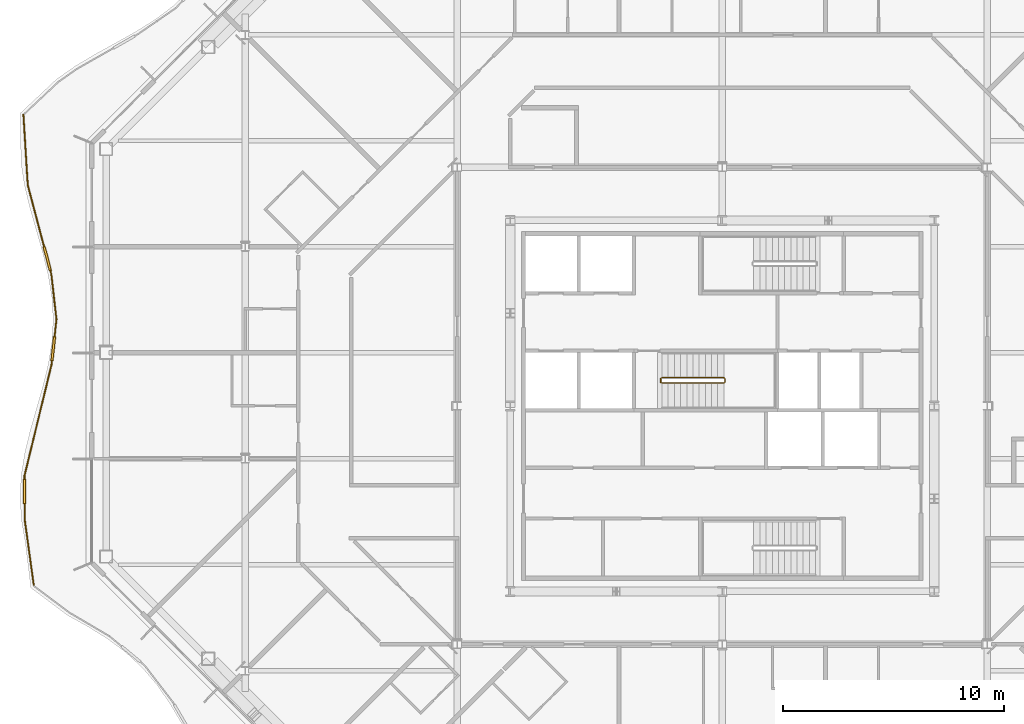
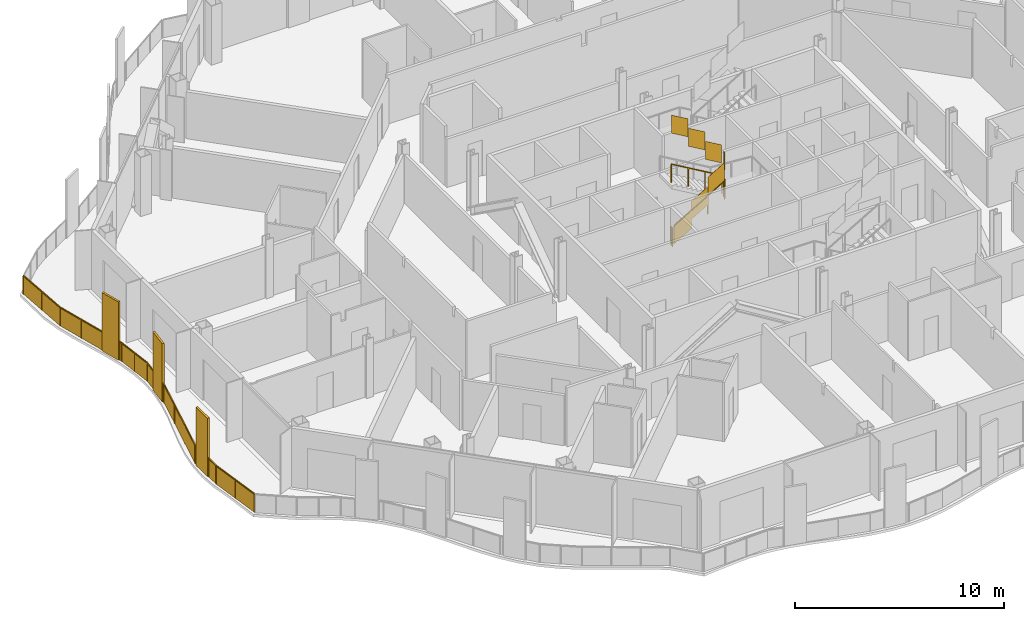
# One storey, part 16 of 21: 3 railings.
"""IFC4 building model written with IfcOpenShell, lengths in metres."""

from ifc_helpers import new_model, si_unit, direction, frame, origin, origin_2d, place, context, subcontext, project, spatial, polyline, rectangle, outline, extrude, material, type_object, element, save


model = new_model("IFC4")

# Units and contexts
model_context = context("Model", 3, precision=1e-05, world=origin(), true_north=direction((0.0, 1.0)))
body_context = subcontext(model_context, "Body", "Model", "MODEL_VIEW")
ifc_project = project(units=[si_unit("LENGTHUNIT", "METRE"), si_unit("AREAUNIT", "SQUARE_METRE"), si_unit("VOLUMEUNIT", "CUBIC_METRE"), si_unit("PLANEANGLEUNIT", "RADIAN"), si_unit("MASSUNIT", "GRAM", prefix="KILO")], contexts=[model_context])

# Site, building, storey
site_placement = place(None, origin())
site = spatial("IfcSite", under=ifc_project, at=site_placement, CompositionType="ELEMENT")
building_placement = place(site_placement, origin())
building = spatial("IfcBuilding", under=site, at=building_placement, Name="Cairn Pilgrim Tower", CompositionType="ELEMENT")
storey_placement = place(building_placement, frame((0.0, 0.0, 150.60009765625)))
storey = spatial("IfcBuildingStorey", under=building, at=storey_placement, Name="L37", CompositionType="ELEMENT", Elevation=150.60009765625)

# Railings
ifc_material_1 = material(Name="Bronze anodised aluminium rail, posts and fin screens with laminated glass infill", Category="aluminium")
railing_type_1 = type_object("IfcRailingType", Name="BALCONY GUARD WITH FIN SCREENS", PredefinedType="GUARDRAIL", material=ifc_material_1)
railing_1_placement = place(storey_placement, frame((-24.4453125, 15.581298828125, 0.0)))
element("IfcRailing", 1, at=railing_1_placement, inside=storey, type_object=railing_type_1, Name="Balcony guard BGF-7 with fin screens", PredefinedType="GUARDRAIL", context=body_context, shape_type="SweptSolid", body=[
    extrude(rectangle(XDim=0.050048828125, YDim=0.050048828125, at=origin_2d()), frame((0.0, 0.0, 1.0751953125), z_axis=(0.06164318585, -0.998098250494, 0.0), x_axis=(0.998098250494, 0.06164318585, 0.0)), (0.0, 0.0, 1.0), 3.184326171875),
    extrude(rectangle(XDim=1.10009765625, YDim=0.110107421875, at=origin_2d()), frame((1.07861328125, -6.5146484375, 0.0), z_axis=(0.0, 0.0, 1.0), x_axis=(0.25568694195, -0.966759632854, 0.0)), (0.0, 0.0, 1.0), 3.39990234375),
    extrude(rectangle(XDim=0.050048828125, YDim=0.050048828125, at=origin_2d()), frame((0.1962890625, -3.17822265625, 1.0751953125), z_axis=(0.25568694195, -0.966759632854, 0.0), x_axis=(0.966759632854, 0.25568694195, 0.0)), (0.0, 0.0, 1.0), 2.901123046875),
    extrude(rectangle(XDim=0.050048828125, YDim=0.050048828125, at=origin_2d()), frame((1.21923828125, -7.04638671875, 1.0751953125), z_axis=(0.25568694195, -0.966759632854, 0.0), x_axis=(0.966759632854, 0.25568694195, 0.0)), (0.0, 0.0, 1.0), 0.17626953125),
    extrude(rectangle(XDim=0.050048828125, YDim=0.050048828125, at=origin_2d()), frame((1.264404296875, -7.216796875, 1.0751953125), z_axis=(0.112394142448, -0.993663704048, 0.0), x_axis=(0.993663704048, 0.112394142448, 0.0)), (0.0, 0.0, 1.0), 2.0615234375),
    extrude(rectangle(XDim=1.10009765625, YDim=0.110107421875, at=origin_2d()), frame((1.35205078125, -10.592041015625, 0.0), z_axis=(0.0, 0.0, 1.0), x_axis=(-0.107880882742, -0.994163827112, 0.0)), (0.0, 0.0, 1.0), 3.39990234375),
    extrude(rectangle(XDim=0.050048828125, YDim=0.050048828125, at=origin_2d()), frame((1.49609375, -9.26513671875, 1.0751953125), z_axis=(-0.107880882742, -0.994163827112, 0.0), x_axis=(0.994163827112, -0.107880882742, 0.0)), (0.0, 0.0, 1.0), 0.78466796875),
    extrude(rectangle(XDim=0.050048828125, YDim=0.050048828125, at=origin_2d()), frame((1.292724609375, -11.138671875, 1.0751953125), z_axis=(-0.107880882742, -0.994163827112, 0.0), x_axis=(0.994163827112, -0.107880882742, 0.0)), (0.0, 0.0, 1.0), 0.1748046875),
    extrude(rectangle(XDim=0.050048828125, YDim=0.050048828125, at=origin_2d()), frame((1.27392578125, -11.3125, 1.0751953125), z_axis=(-0.236367179734, -0.971663808292, 0.0), x_axis=(0.971663808292, -0.236367179734, 0.0)), (0.0, 0.0, 1.0), 5.19140625),
    extrude(rectangle(XDim=1.10009765625, YDim=0.110107421875, at=origin_2d()), frame((0.0517578125, -17.056640625, 0.0), z_axis=(0.0, 0.0, 1.0), x_axis=(0.006983412165, -0.99997561568, 0.0)), (0.0, 0.0, 1.0), 3.39990234375),
    extrude(rectangle(XDim=0.050048828125, YDim=0.050048828125, at=origin_2d()), frame((0.046875, -16.356689453125, 1.0751953125), z_axis=(0.006983412165, -0.99997561568, 0.0), x_axis=(0.99997561568, 0.006983412165, 0.0)), (0.0, 0.0, 1.0), 0.14990234375),
    extrude(rectangle(XDim=0.050048828125, YDim=0.050048828125, at=origin_2d()), frame((0.0556640625, -17.606689453125, 1.0751953125), z_axis=(0.006983412165, -0.99997561568, 0.0), x_axis=(0.99997561568, 0.006983412165, 0.0)), (0.0, 0.0, 1.0), 0.742919921875),
    extrude(rectangle(XDim=0.050048828125, YDim=0.050048828125, at=origin_2d()), frame((0.060791015625, -18.349365234375, 1.0751953125), z_axis=(0.136925058977, -0.990581409186, 0.0), x_axis=(0.990581409186, 0.136925058977, 0.0)), (0.0, 0.0, 1.0), 2.9580078125),
    extrude(rectangle(XDim=0.050048828125, YDim=0.050048828125, at=origin_2d()), origin(), (0.0, 0.0, 1.0), 1.050048828125),
    extrude(rectangle(XDim=0.050048828125, YDim=0.050048828125, at=origin_2d()), frame((0.09814453125, -1.589111328125, 0.0)), (0.0, 0.0, 1.0), 1.050048828125),
    extrude(rectangle(XDim=0.050048828125, YDim=0.050048828125, at=origin_2d()), frame((0.1962890625, -3.17822265625, 0.0)), (0.0, 0.0, 1.0), 1.050048828125),
    extrude(rectangle(XDim=0.050048828125, YDim=0.050048828125, at=origin_2d()), frame((0.56396484375, -4.568359375, 0.0)), (0.0, 0.0, 1.0), 1.050048828125),
    extrude(rectangle(XDim=0.050048828125, YDim=0.050048828125, at=origin_2d()), frame((0.931640625, -5.958740234375, 0.0)), (0.0, 0.0, 1.0), 1.050048828125),
    extrude(rectangle(XDim=0.050048828125, YDim=0.050048828125, at=origin_2d()), frame((1.225830078125, -7.070556640625, 0.0)), (0.0, 0.0, 1.0), 1.050048828125),
    extrude(rectangle(XDim=0.050048828125, YDim=0.050048828125, at=origin_2d()), frame((1.264404296875, -7.216796875, 0.0)), (0.0, 0.0, 1.0), 1.050048828125),
    extrude(rectangle(XDim=0.050048828125, YDim=0.050048828125, at=origin_2d()), frame((1.38037109375, -8.240966796875, 0.0)), (0.0, 0.0, 1.0), 1.050048828125),
    extrude(rectangle(XDim=0.050048828125, YDim=0.050048828125, at=origin_2d()), frame((1.49609375, -9.26513671875, 0.0)), (0.0, 0.0, 1.0), 1.050048828125),
    extrude(rectangle(XDim=0.050048828125, YDim=0.050048828125, at=origin_2d()), frame((1.4140625, -10.020263671875, 0.0)), (0.0, 0.0, 1.0), 1.050048828125),
    extrude(rectangle(XDim=0.050048828125, YDim=0.050048828125, at=origin_2d()), frame((1.2900390625, -11.16357421875, 0.0)), (0.0, 0.0, 1.0), 1.050048828125),
    extrude(rectangle(XDim=0.050048828125, YDim=0.050048828125, at=origin_2d()), frame((1.27392578125, -11.3125, 0.0)), (0.0, 0.0, 1.0), 1.050048828125),
    extrude(rectangle(XDim=0.050048828125, YDim=0.050048828125, at=origin_2d()), frame((0.864990234375, -12.993896484375, 0.0)), (0.0, 0.0, 1.0), 1.050048828125),
    extrude(rectangle(XDim=0.050048828125, YDim=0.050048828125, at=origin_2d()), frame((0.455810546875, -14.67529296875, 0.0)), (0.0, 0.0, 1.0), 1.050048828125),
    extrude(rectangle(XDim=0.050048828125, YDim=0.050048828125, at=origin_2d()), frame((0.046875, -16.356689453125, 0.0)), (0.0, 0.0, 1.0), 1.050048828125),
    extrude(rectangle(XDim=0.050048828125, YDim=0.050048828125, at=origin_2d()), frame((0.0478515625, -16.481689453125, 0.0)), (0.0, 0.0, 1.0), 1.050048828125),
    extrude(rectangle(XDim=0.050048828125, YDim=0.050048828125, at=origin_2d()), frame((0.0556640625, -17.631591796875, 0.0)), (0.0, 0.0, 1.0), 1.050048828125),
    extrude(rectangle(XDim=0.050048828125, YDim=0.050048828125, at=origin_2d()), frame((0.060791015625, -18.349365234375, 0.0)), (0.0, 0.0, 1.0), 1.050048828125),
    extrude(rectangle(XDim=0.050048828125, YDim=0.050048828125, at=origin_2d()), frame((0.26318359375, -19.814453125, 0.0)), (0.0, 0.0, 1.0), 1.050048828125),
    extrude(rectangle(XDim=0.050048828125, YDim=0.050048828125, at=origin_2d()), frame((0.4658203125, -21.279541015625, 0.0)), (0.0, 0.0, 1.0), 1.050048828125),
    extrude(outline(polyline([(0.02490234375, 0.0), (1.567138671875, 0.0), (1.567138671875, 1.050048828125), (0.02490234375, 1.050048828125), (0.02490234375, 0.0)])), frame((0.005859375, 0.00048828125, 0.0), z_axis=(-0.998098250494, -0.06164318585, 0.0), x_axis=(0.06164318585, -0.998098250494, 0.0)), (0.0, 0.0, 1.0), 0.011962890625),
    extrude(outline(polyline([(0.02490234375, 0.0), (1.567138671875, 0.0), (1.567138671875, 1.050048828125), (0.02490234375, 1.050048828125), (0.02490234375, 0.0)])), frame((0.10400390625, -1.588623046875, 0.0), z_axis=(-0.998098250494, -0.06164318585, 0.0), x_axis=(0.06164318585, -0.998098250494, 0.0)), (0.0, 0.0, 1.0), 0.011962890625),
    extrude(outline(polyline([(0.02490234375, 0.0), (1.4130859375, 0.0), (1.4130859375, 1.050048828125), (0.02490234375, 1.050048828125), (0.02490234375, 0.0)])), frame((0.2021484375, -3.1767578125, 0.0), z_axis=(-0.966759632854, -0.25568694195, 0.0), x_axis=(0.25568694195, -0.966759632854, 0.0)), (0.0, 0.0, 1.0), 0.011962890625),
    extrude(outline(polyline([(0.02490234375, 0.0), (1.4130859375, 0.0), (1.4130859375, 1.050048828125), (0.02490234375, 1.050048828125), (0.02490234375, 0.0)])), frame((0.56982421875, -4.56689453125, 0.0), z_axis=(-0.966759632854, -0.25568694195, 0.0), x_axis=(0.25568694195, -0.966759632854, 0.0)), (0.0, 0.0, 1.0), 0.011962890625),
    extrude(outline(polyline([(0.02490234375, 0.0), (0.126220703125, 0.0), (0.126220703125, 1.050048828125), (0.02490234375, 1.050048828125), (0.02490234375, 0.0)])), frame((1.2314453125, -7.069091796875, 0.0), z_axis=(-0.966759632854, -0.25568694195, 0.0), x_axis=(0.25568694195, -0.966759632854, 0.0)), (0.0, 0.0, 1.0), 0.011962890625),
    extrude(outline(polyline([(0.02490234375, 0.0), (1.005615234375, 0.0), (1.005615234375, 1.050048828125), (0.02490234375, 1.050048828125), (0.02490234375, 0.0)])), frame((1.270263671875, -7.216064453125, 0.0), z_axis=(-0.993663704048, -0.112394142448, 0.0), x_axis=(0.112394142448, -0.993663704048, 0.0)), (0.0, 0.0, 1.0), 0.011962890625),
    extrude(outline(polyline([(0.02490234375, 0.0), (1.005615234375, 0.0), (1.005615234375, 1.050048828125), (0.02490234375, 1.050048828125), (0.02490234375, 0.0)])), frame((1.38623046875, -8.240234375, 0.0), z_axis=(-0.993663704048, -0.112394142448, 0.0), x_axis=(0.112394142448, -0.993663704048, 0.0)), (0.0, 0.0, 1.0), 0.011962890625),
    extrude(outline(polyline([(0.02490234375, 0.0), (0.734619140625, 0.0), (0.734619140625, 1.050048828125), (0.02490234375, 1.050048828125), (0.02490234375, 0.0)])), frame((1.501953125, -9.265869140625, 0.0), z_axis=(-0.994163827112, 0.107880882742, 0.0), x_axis=(-0.107880882742, -0.994163827112, 0.0)), (0.0, 0.0, 1.0), 0.011962890625),
    extrude(outline(polyline([(0.02490234375, 0.0), (0.124755859375, 0.0), (0.124755859375, 1.050048828125), (0.02490234375, 1.050048828125), (0.02490234375, 0.0)])), frame((1.296142578125, -11.164306640625, 0.0), z_axis=(-0.994163827112, 0.107880882742, 0.0), x_axis=(-0.107880882742, -0.994163827112, 0.0)), (0.0, 0.0, 1.0), 0.011962890625),
    extrude(outline(polyline([(0.02490234375, 0.0), (1.705322265625, 0.0), (1.705322265625, 1.050048828125), (0.02490234375, 1.050048828125), (0.02490234375, 0.0)])), frame((1.27978515625, -11.31396484375, 0.0), z_axis=(-0.971663808292, 0.236367179734, 0.0), x_axis=(-0.236367179734, -0.971663808292, 0.0)), (0.0, 0.0, 1.0), 0.011962890625),
    extrude(outline(polyline([(0.02490234375, 0.0), (1.705322265625, 0.0), (1.705322265625, 1.050048828125), (0.02490234375, 1.050048828125), (0.02490234375, 0.0)])), frame((0.87060546875, -12.995361328125, 0.0), z_axis=(-0.971663808292, 0.236367179734, 0.0), x_axis=(-0.236367179734, -0.971663808292, 0.0)), (0.0, 0.0, 1.0), 0.011962890625),
    extrude(outline(polyline([(0.02490234375, 0.0), (1.705322265625, 0.0), (1.705322265625, 1.050048828125), (0.02490234375, 1.050048828125), (0.02490234375, 0.0)])), frame((0.461669921875, -14.6767578125, 0.0), z_axis=(-0.971663808292, 0.236367179734, 0.0), x_axis=(-0.236367179734, -0.971663808292, 0.0)), (0.0, 0.0, 1.0), 0.011962890625),
    extrude(outline(polyline([(0.02490234375, 0.0), (0.099853515625, 0.0), (0.099853515625, 1.050048828125), (0.02490234375, 1.050048828125), (0.02490234375, 0.0)])), frame((0.052734375, -16.356689453125, 0.0), z_axis=(-0.99997561568, -0.006983412165, 0.0), x_axis=(0.006983412165, -0.99997561568, 0.0)), (0.0, 0.0, 1.0), 0.011962890625),
    extrude(outline(polyline([(0.02490234375, 0.0), (0.69287109375, 0.0), (0.69287109375, 1.050048828125), (0.02490234375, 1.050048828125), (0.02490234375, 0.0)])), frame((0.061767578125, -17.631591796875, 0.0), z_axis=(-0.99997561568, -0.006983412165, 0.0), x_axis=(0.006983412165, -0.99997561568, 0.0)), (0.0, 0.0, 1.0), 0.011962890625),
    extrude(outline(polyline([(0.02490234375, 0.0), (1.4541015625, 0.0), (1.4541015625, 1.050048828125), (0.02490234375, 1.050048828125), (0.02490234375, 0.0)])), frame((0.066650390625, -18.3486328125, 0.0), z_axis=(-0.990581409186, -0.136925058977, 0.0), x_axis=(0.136925058977, -0.990581409186, 0.0)), (0.0, 0.0, 1.0), 0.011962890625),
    extrude(outline(polyline([(0.02490234375, 0.0), (1.4541015625, 0.0), (1.4541015625, 1.050048828125), (0.02490234375, 1.050048828125), (0.02490234375, 0.0)])), frame((0.269287109375, -19.813720703125, 0.0), z_axis=(-0.990581409186, -0.136925058977, 0.0), x_axis=(0.136925058977, -0.990581409186, 0.0)), (0.0, 0.0, 1.0), 0.011962890625),
])
ifc_material_2 = material(Name="Painted steel", Category="steel")
railing_type_2 = type_object("IfcRailingType", Name="STAIR GUARD 1100", PredefinedType="GUARDRAIL", material=ifc_material_2)
railing_2_placement = place(storey_placement, frame((4.47509765625, 3.425048828125, 0.16357421875)))
element("IfcRailing", 2, at=railing_2_placement, inside=storey, type_object=railing_type_2, Name="L37 ST-B stair guard 1", PredefinedType="GUARDRAIL", context=body_context, shape_type="SweptSolid", body=[
    extrude(rectangle(XDim=0.048095703125, YDim=0.048095703125, at=origin_2d()), frame((0.0, 0.0, 1.076171875), z_axis=(0.863374499697, 0.0, 0.504563646405), x_axis=(0.0, 1.0, 0.0)), (0.0, 0.0, 1.0), 3.242919921875),
    extrude(rectangle(XDim=0.048095703125, YDim=0.048095703125, at=origin_2d()), frame((2.7998046875, 0.0, 2.71240234375), z_axis=(0.707106781187, 0.707106781187, 0.0), x_axis=(-0.707106781187, 0.707106781187, 0.0)), (0.0, 0.0, 1.0), 0.07080078125),
    extrude(rectangle(XDim=0.048095703125, YDim=0.048095703125, at=origin_2d()), frame((2.849853515625, 0.050048828125, 2.71240234375), z_axis=(0.0, 1.0, 0.0), x_axis=(-1.0, 0.0, 0.0)), (0.0, 0.0, 1.0), 0.14990234375),
    extrude(rectangle(XDim=0.048095703125, YDim=0.048095703125, at=origin_2d()), frame((2.849853515625, 0.199951171875, 2.71240234375), z_axis=(-0.280456126637, 0.280456126637, 0.917980785237), x_axis=(-0.707106781187, -0.707106781187, 0.0)), (0.0, 0.0, 1.0), 0.178466796875),
    extrude(rectangle(XDim=0.048095703125, YDim=0.048095703125, at=origin_2d()), frame((2.7998046875, 0.25, 2.8759765625), z_axis=(-0.863374499697, 0.0, 0.504563646405), x_axis=(0.0, -1.0, 0.0)), (0.0, 0.0, 1.0), 3.242919921875),
    extrude(rectangle(XDim=0.0419921875, YDim=0.0419921875, at=origin_2d()), origin(), (0.0, 0.0, 1.0), 1.052001953125),
    extrude(rectangle(XDim=0.0419921875, YDim=0.0419921875, at=origin_2d()), frame((0.933349609375, 0.0, 0.54541015625)), (0.0, 0.0, 1.0), 1.052001953125),
    extrude(rectangle(XDim=0.0419921875, YDim=0.0419921875, at=origin_2d()), frame((1.866455078125, 0.0, 1.0908203125)), (0.0, 0.0, 1.0), 1.052001953125),
    extrude(rectangle(XDim=0.0419921875, YDim=0.0419921875, at=origin_2d()), frame((2.7998046875, 0.0, 1.63623046875)), (0.0, 0.0, 1.0), 1.052001953125),
    extrude(rectangle(XDim=0.0419921875, YDim=0.0419921875, at=origin_2d()), frame((2.849853515625, 0.050048828125, 1.63623046875)), (0.0, 0.0, 1.0), 1.052001953125),
    extrude(rectangle(XDim=0.0419921875, YDim=0.0419921875, at=origin_2d()), frame((2.849853515625, 0.199951171875, 1.63623046875)), (0.0, 0.0, 1.0), 1.052001953125),
    extrude(rectangle(XDim=0.0419921875, YDim=0.0419921875, at=origin_2d()), frame((2.7998046875, 0.25, 1.800048828125)), (0.0, 0.0, 1.0), 1.052001953125),
    extrude(rectangle(XDim=0.0419921875, YDim=0.0419921875, at=origin_2d()), frame((1.866455078125, 0.25, 2.345458984375)), (0.0, 0.0, 1.0), 1.052001953125),
    extrude(rectangle(XDim=0.0419921875, YDim=0.0419921875, at=origin_2d()), frame((0.933349609375, 0.25, 2.890869140625)), (0.0, 0.0, 1.0), 1.052001953125),
    extrude(rectangle(XDim=0.0419921875, YDim=0.0419921875, at=origin_2d()), frame((0.0, 0.25, 3.436279296875)), (0.0, 0.0, 1.0), 1.052001953125),
    extrude(outline(polyline([(0.02099609375, 0.01220703125), (0.912353515625, 0.533203125), (0.912353515625, 1.585205078125), (0.02099609375, 1.064208984375), (0.02099609375, 0.01220703125)])), frame((0.0, 0.005859375, 0.0), z_axis=(0.0, -1.0, 0.0), x_axis=(1.0, 0.0, 0.0)), (0.0, 0.0, 1.0), 0.011962890625),
    extrude(outline(polyline([(0.02099609375, 0.5576171875), (0.912353515625, 1.07861328125), (0.912353515625, 2.130615234375), (0.02099609375, 1.609619140625), (0.02099609375, 0.5576171875)])), frame((0.933349609375, 0.005859375, 0.54541015625), z_axis=(0.0, -1.0, 0.0), x_axis=(1.0, 0.0, 0.0)), (0.0, 0.0, 1.0), 0.011962890625),
    extrude(outline(polyline([(0.02099609375, 1.10302734375), (0.912353515625, 1.6240234375), (0.912353515625, 2.676025390625), (0.02099609375, 2.155029296875), (0.02099609375, 1.10302734375)])), frame((1.866455078125, 0.005859375, 1.0908203125), z_axis=(0.0, -1.0, 0.0), x_axis=(1.0, 0.0, 0.0)), (0.0, 0.0, 1.0), 0.011962890625),
    extrude(outline(polyline([(0.02099609375, 1.63623046875), (0.12890625, 1.63623046875), (0.12890625, 2.688232421875), (0.02099609375, 2.688232421875), (0.02099609375, 1.63623046875)])), frame((2.84375, 0.050048828125, 1.63623046875), z_axis=(1.0, 0.0, 0.0), x_axis=(0.0, 1.0, 0.0)), (0.0, 0.0, 1.0), 0.011962890625),
    extrude(outline(polyline([(0.02099609375, 1.812255859375), (0.912353515625, 2.333251953125), (0.912353515625, 3.38525390625), (0.02099609375, 2.8642578125), (0.02099609375, 1.812255859375)])), frame((2.7998046875, 0.244140625, 1.800048828125), z_axis=(0.0, 1.0, 0.0), x_axis=(-1.0, 0.0, 0.0)), (0.0, 0.0, 1.0), 0.011962890625),
    extrude(outline(polyline([(0.02099609375, 2.357666015625), (0.912353515625, 2.878662109375), (0.912353515625, 3.9306640625), (0.02099609375, 3.40966796875), (0.02099609375, 2.357666015625)])), frame((1.866455078125, 0.244140625, 2.345458984375), z_axis=(0.0, 1.0, 0.0), x_axis=(-1.0, 0.0, 0.0)), (0.0, 0.0, 1.0), 0.011962890625),
    extrude(outline(polyline([(0.02099609375, 2.903076171875), (0.912353515625, 3.424072265625), (0.912353515625, 4.47607421875), (0.02099609375, 3.955078125), (0.02099609375, 2.903076171875)])), frame((0.933349609375, 0.244140625, 2.890869140625), z_axis=(0.0, 1.0, 0.0), x_axis=(-1.0, 0.0, 0.0)), (0.0, 0.0, 1.0), 0.011962890625),
])
railing_3_placement = place(storey_placement, frame((4.425048828125, 3.47509765625, 0.0)))
element("IfcRailing", 3, at=railing_3_placement, inside=storey, type_object=railing_type_2, Name="L37 ST-B stair guard 2", PredefinedType="GUARDRAIL", context=body_context, shape_type="SweptSolid", body=[
    extrude(rectangle(XDim=0.048095703125, YDim=0.048095703125, at=origin_2d()), frame((0.0, 0.0, 1.076171875), z_axis=(0.0, 1.0, 0.0), x_axis=(-1.0, 0.0, 0.0)), (0.0, 0.0, 1.0), 0.14990234375),
    extrude(rectangle(XDim=0.0419921875, YDim=0.0419921875, at=origin_2d()), origin(), (0.0, 0.0, 1.0), 1.052001953125),
    extrude(rectangle(XDim=0.0419921875, YDim=0.0419921875, at=origin_2d()), frame((0.0, 0.14990234375, 0.0)), (0.0, 0.0, 1.0), 1.052001953125),
    extrude(outline(polyline([(0.02099609375, 0.0), (0.12890625, 0.0), (0.12890625, 1.052001953125), (0.02099609375, 1.052001953125), (0.02099609375, 0.0)])), frame((-0.005859375, 0.0, 0.0), z_axis=(1.0, 0.0, 0.0), x_axis=(0.0, 1.0, 0.0)), (0.0, 0.0, 1.0), 0.011962890625),
])

save(model, "model.ifc")
